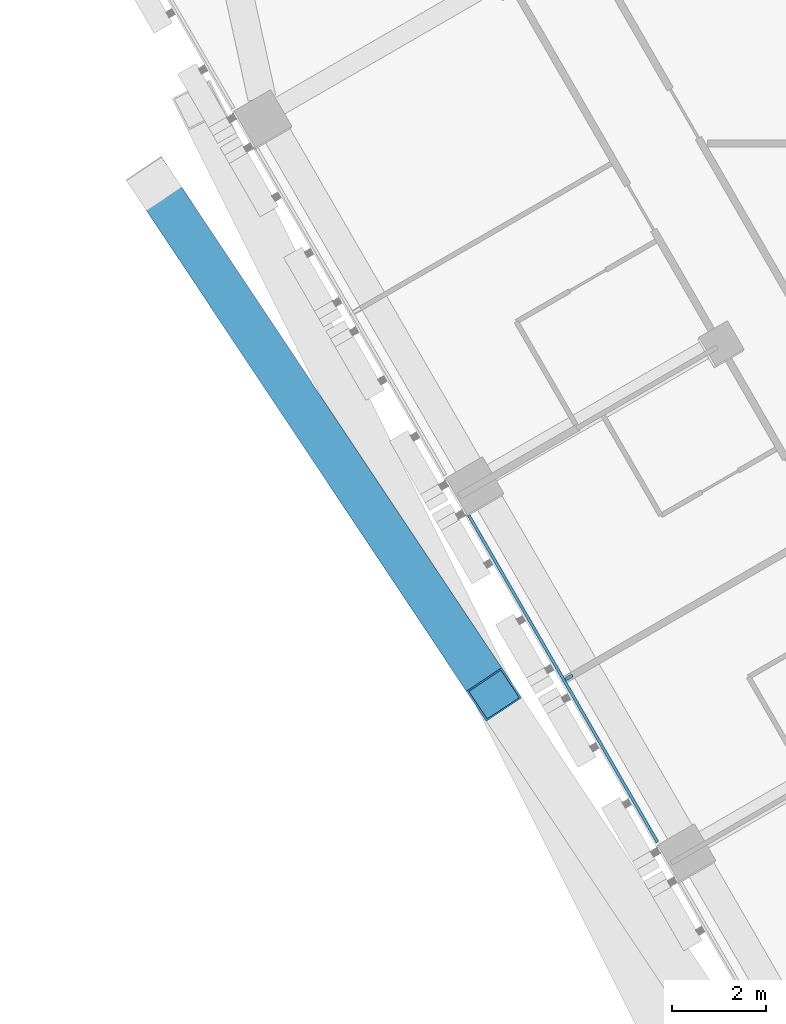
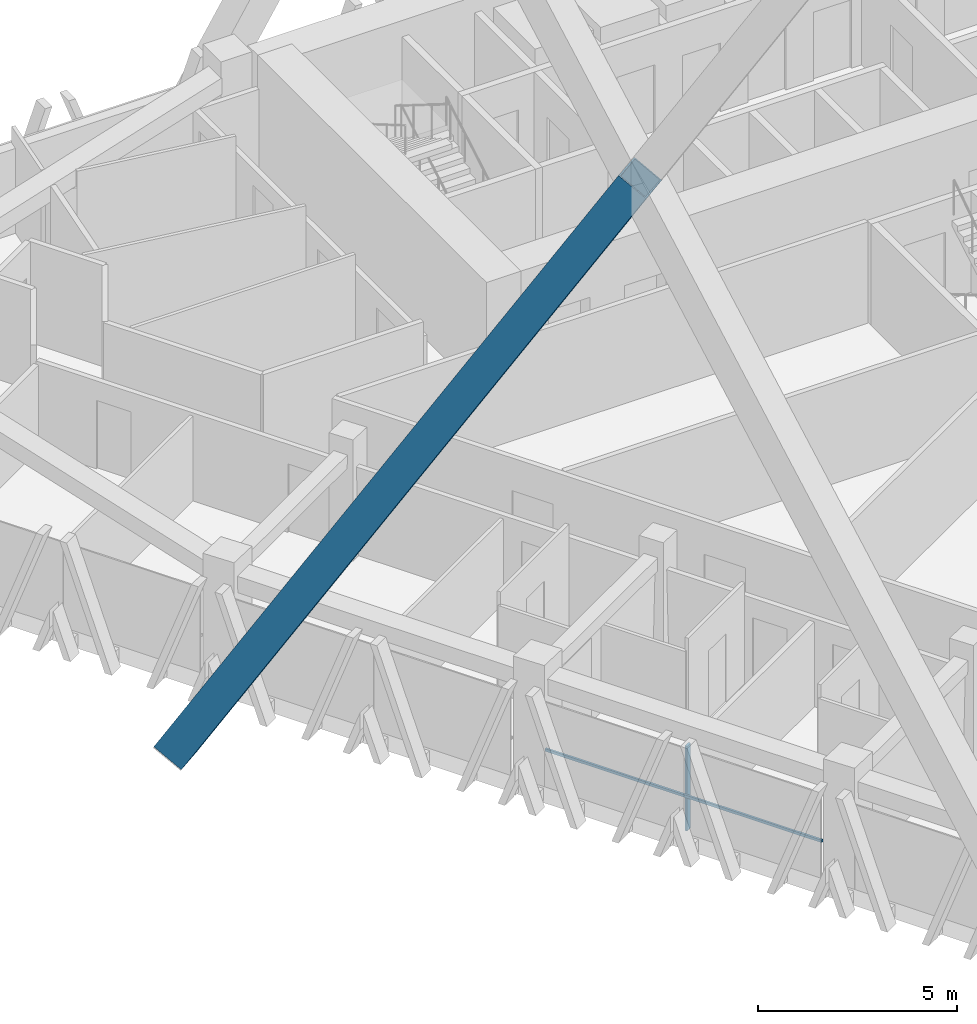
# One storey, part 4 of 24: 3 members, 1 element without a shape of its own.
"""IFC4 building model written with IfcOpenShell, lengths in metres."""

from ifc_helpers import new_model, si_unit, direction, frame, origin, origin_2d, place, context, subcontext, project, spatial, rectangle, hollow_rectangle, extrude, material, layer, layer_set, material_profile, profile_set, type_object, element, aggregate, save


model = new_model("IFC4")

# Units and contexts
model_context = context("Model", 3, precision=1e-05, world=origin(), true_north=direction((0.0, 1.0)))
body_context = subcontext(model_context, "Body", "Model", "MODEL_VIEW")
ifc_project = project(units=[si_unit("LENGTHUNIT", "METRE"), si_unit("AREAUNIT", "SQUARE_METRE"), si_unit("VOLUMEUNIT", "CUBIC_METRE"), si_unit("PLANEANGLEUNIT", "RADIAN"), si_unit("MASSUNIT", "GRAM", prefix="KILO")], contexts=[model_context])

# Site, building, storey
site_placement = place(None, origin())
site = spatial("IfcSite", under=ifc_project, at=site_placement, CompositionType="ELEMENT")
building_placement = place(site_placement, origin())
building = spatial("IfcBuilding", under=site, at=building_placement, Name="Altiplano Prism Tower", CompositionType="ELEMENT")
storey_placement = place(building_placement, frame((0.0, 0.0, 27.0)))
storey = spatial("IfcBuildingStorey", under=building, at=storey_placement, Name="L05", CompositionType="ELEMENT", Elevation=27.0)

# Curtain wall, members
ifc_material_1 = material(Name="Aluminium and glass", Category="aluminium")
ifc_layer = layer(ifc_material_1, 0.280029296875)
ifc_layer_set = layer_set([ifc_layer], Name="Aluminium and glass")
curtain_wall_type = type_object("IfcCurtainWallType", Name="CW1 typical co-living unitised curtain wall", PredefinedType="NOTDEFINED", material=ifc_layer_set)
curtain_wall_placement = place(storey_placement, origin())
curtain_wall = element("IfcCurtainWall", 1, at=curtain_wall_placement, inside=storey, type_object=curtain_wall_type, Name="CW1 curtain wall south-west face L05", PredefinedType="NOTDEFINED")
ifc_material_2 = material(Name="Aluminium", Category="aluminium")
ifc_material_profile_1 = material_profile(ifc_material_2, rectangle(XDim=0.179931640625, YDim=0.06494140625, at=origin_2d()), Name="CW1 mullion 65 x 180")
ifc_profile_set_1 = profile_set([ifc_material_profile_1], Name="Aluminium")
member_type_1 = type_object("IfcMemberType", Name="CW1 mullion 65 x 180", PredefinedType="MULLION", material=ifc_profile_set_1)
member_1_placement = place(storey_placement, frame((66.97802734375, 73.594970703125, 0.0), z_axis=(0.0, 0.0, 1.0), x_axis=(0.866025403802, 0.49999999997, 0.0)))
member_1 = element("IfcMember", 2, at=member_1_placement, type_object=member_type_1, Name="CW1 mullion", PredefinedType="MULLION", context=body_context, shape_type="SweptSolid", body=[
    extrude(rectangle(XDim=0.179931640625, YDim=0.06494140625, at=origin_2d()), origin(), (0.0, 0.0, 1.0), 2.60009765625),
])
ifc_material_profile_2 = material_profile(ifc_material_2, rectangle(XDim=0.06005859375, YDim=0.080078125, at=origin_2d()), Name="CW1 transom 80 x 60")
ifc_profile_set_2 = profile_set([ifc_material_profile_2], Name="Aluminium")
member_type_2 = type_object("IfcMemberType", Name="CW1 transom 80 x 60", PredefinedType="USERDEFINED", material=ifc_profile_set_2)
member_2_placement = place(storey_placement, frame((64.849365234375, 77.041748046875, 1.10009765625), z_axis=(0.500012318566, -0.86601829154, 0.0), x_axis=(0.86601829154, 0.500012318566, 0.0)))
member_2 = element("IfcMember", 3, at=member_2_placement, type_object=member_type_2, Name="CW1 transom", ObjectType="TRANSOM", PredefinedType="USERDEFINED", context=body_context, shape_type="SweptSolid", body=[
    extrude(rectangle(XDim=0.06005859375, YDim=0.080078125, at=origin_2d()), origin(), (0.0, 0.0, 1.0), 8.019775390625),
])
aggregate(curtain_wall, [member_1, member_2])

# Member
ifc_material_3 = material(Name="Steel S355", Category="steel")
ifc_material_profile_3 = material_profile(ifc_material_3, hollow_rectangle(XDim=0.89990234375, YDim=0.89990234375, WallThickness=0.0400390625, at=origin_2d()), Name="Mega brace Box 900x900x40")
ifc_profile_set_3 = profile_set([ifc_material_profile_3], Name="Steel S355")
member_type_3 = type_object("IfcMemberType", Name="Mega brace Box 900x900x40", PredefinedType="BRACE", material=ifc_profile_set_3)
member_3_placement = place(storey_placement, frame((58.169677734375, 84.07421875, -0.815673828125), z_axis=(0.286512686245, -0.430374672243, 0.855972033487), x_axis=(0.832410551335, 0.554159430152, 0.0)))
element("IfcMember", 4, at=member_3_placement, inside=storey, type_object=member_type_3, Name="Mega brace 1.1.1", PredefinedType="BRACE", context=body_context, shape_type="SweptSolid", body=[
    extrude(hollow_rectangle(XDim=0.89990234375, YDim=0.89990234375, WallThickness=0.0400390625, at=origin_2d()), origin(), (0.0, 0.0, 1.0), 25.1943359375),
])

save(model, "model.ifc")
